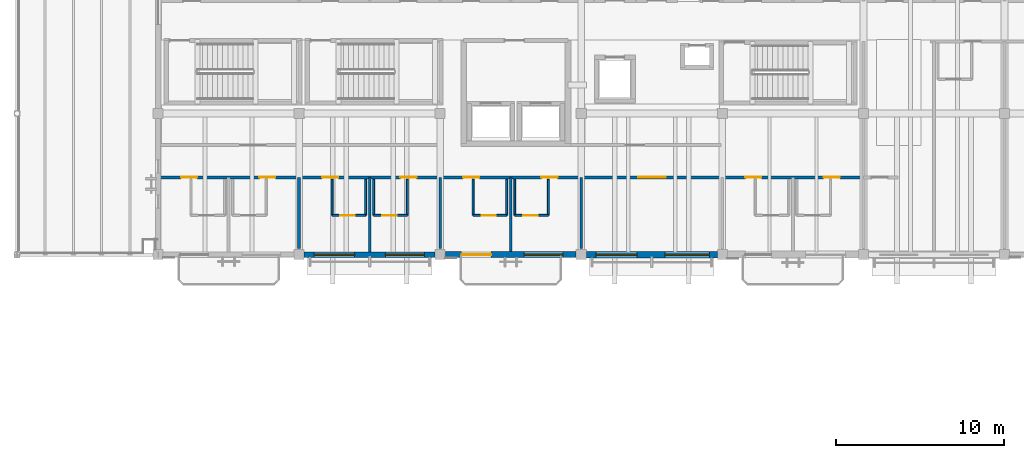
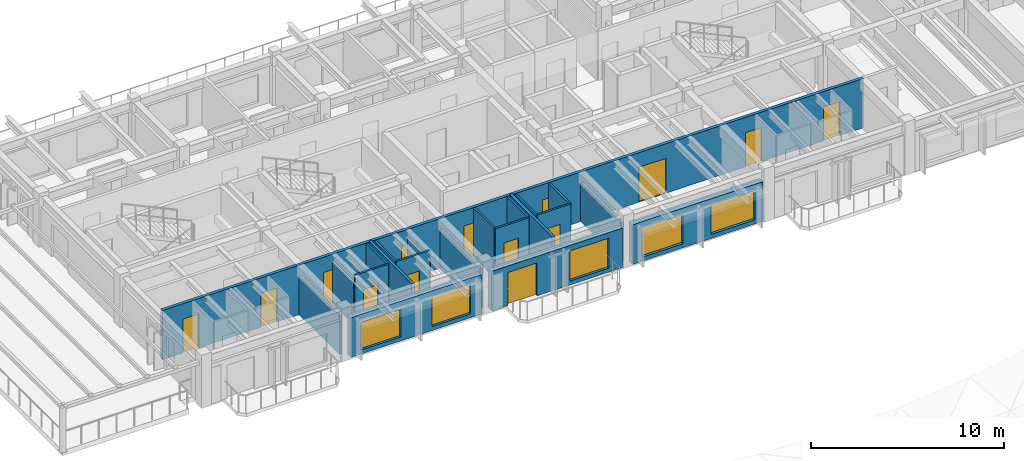
# One storey, part 10 of 22: 21 walls, 14 doors, 5 windows, 19 openings.
"""IFC4 building model written with IfcOpenShell, lengths in metres."""

from ifc_helpers import new_model, si_unit, direction, frame, frame_2d, origin, place, context, subcontext, project, spatial, rectangle, extrude, material, layer, layer_set, type_object, element, fill, save


model = new_model("IFC4")

# Units and contexts
model_context = context("Model", 3, precision=1e-05, world=origin(), true_north=direction((0.0, 1.0)))
body_context = subcontext(model_context, "Body", "Model", "MODEL_VIEW")
ifc_project = project(units=[si_unit("LENGTHUNIT", "METRE"), si_unit("AREAUNIT", "SQUARE_METRE"), si_unit("VOLUMEUNIT", "CUBIC_METRE"), si_unit("PLANEANGLEUNIT", "RADIAN"), si_unit("MASSUNIT", "GRAM", prefix="KILO")], contexts=[model_context])

# Site, building, storey
site_placement = place(None, origin())
site = spatial("IfcSite", under=ifc_project, at=site_placement, CompositionType="ELEMENT")
building_placement = place(site_placement, origin())
building = spatial("IfcBuilding", under=site, at=building_placement, Name="Cumbredor Promenade Congress Hotel", CompositionType="ELEMENT")
storey_placement = place(building_placement, frame((0.0, 0.0, 28.56005859375)))
storey = spatial("IfcBuildingStorey", under=building, at=storey_placement, Name="L08", CompositionType="ELEMENT", Elevation=28.56005859375)

# Wall, opening, door
ifc_material_1 = material(Name="Moisture-resistant gypsum board on steel studs", Category="steel")
ifc_layer_1 = layer(ifc_material_1, 0.114990234375, Name="Moisture-resistant gypsum board on steel studs", Category="steel")
ifc_layer_set_1 = layer_set([ifc_layer_1], Name="Moisture-resistant gypsum board on steel studs")
wall_type_1 = type_object("IfcWallType", Name="WL-BATH-115", PredefinedType="PARTITIONING", material=ifc_layer_set_1)
wall_1_placement = place(storey_placement, frame((18.760009765625, 94.72998046875, 0.0), z_axis=(0.0, 0.0, 1.0), x_axis=(1.0, 0.0, 0.0)))
wall_1 = element("IfcWall", 1, at=wall_1_placement, inside=storey, type_object=wall_type_1, Name="L08 Interior Partition W-L08-BH-0873", PredefinedType="PARTITIONING", context=body_context, shape_type="SweptSolid", body=[
    extrude(rectangle(XDim=2.0, YDim=0.114990234375, at=frame_2d((1.0, 0.0))), origin(), (0.0, 0.0, 1.0), 3.119873046875),
])
opening_1_placement = place(wall_1_placement, frame((0.5, 0.0, 0.0)))
opening_1 = element("IfcOpeningElement", 2, at=opening_1_placement, cuts=wall_1, Name="Opening ID-01", PredefinedType="OPENING", context=body_context, shape_type="SweptSolid", body=[
    extrude(rectangle(XDim=0.860107421875, YDim=2.050048828125, at=frame_2d((0.43017578125, 1.02490234375))), frame((0.0, 0.0673828125, 0.0), z_axis=(0.0, -1.0, 0.0), x_axis=(1.0, 0.0, 0.0)), (0.0, 0.0, 1.0), 0.135009765625),
])
ifc_material_2 = material(Name="Kiln-dried tropical hardwood", Category="wood")
door_type_1 = type_object("IfcDoorType", Name="DR-BATH-860", OperationType="NOTDEFINED", PredefinedType="DOOR", material=ifc_material_2)
door_1_placement = place(opening_1_placement, origin())
door_1 = element("IfcDoor", 3, at=door_1_placement, inside=storey, type_object=door_type_1, Name="L08 Interior Door W-L08-BH-0873-01", OperationType="SINGLE_SWING_RIGHT", OverallHeight=2.050048828125, OverallWidth=0.860107421875, PredefinedType="DOOR", context=body_context, shape_type="SweptSolid", body=[
    extrude(rectangle(XDim=0.860107421875, YDim=2.050048828125, at=frame_2d((0.43017578125, 1.02490234375))), frame((0.0, 0.02490234375, 0.0), z_axis=(0.0, -1.0, 0.0), x_axis=(1.0, 0.0, 0.0)), (0.0, 0.0, 1.0), 0.050048828125),
])
fill(opening_1, door_1)

# Walls
wall_2_placement = place(storey_placement, frame((18.760009765625, 94.72998046875, 0.0), z_axis=(0.0, 0.0, 1.0), x_axis=(0.0, 1.0, 0.0)))
element("IfcWall", 4, at=wall_2_placement, inside=storey, type_object=wall_type_1, Name="L08 Interior Partition W-L08-BV1-0873", PredefinedType="PARTITIONING", context=body_context, shape_type="SweptSolid", body=[
    extrude(rectangle(XDim=2.14990234375, YDim=0.114990234375, at=frame_2d((1.074951171875, 0.0))), origin(), (0.0, 0.0, 1.0), 2.641845703125),
])
wall_3_placement = place(storey_placement, frame((20.760009765625, 94.72998046875, 0.0), z_axis=(0.0, 0.0, 1.0), x_axis=(0.0, 1.0, 0.0)))
element("IfcWall", 5, at=wall_3_placement, inside=storey, type_object=wall_type_1, Name="L08 Interior Partition W-L08-BV2-0873", PredefinedType="PARTITIONING", context=body_context, shape_type="SweptSolid", body=[
    extrude(rectangle(XDim=2.14990234375, YDim=0.114990234375, at=frame_2d((1.074951171875, 0.0))), origin(), (0.0, 0.0, 1.0), 3.119873046875),
])

# Wall, opening, door
wall_4_placement = place(storey_placement, frame((21.239990234375, 94.72998046875, 0.0), z_axis=(0.0, 0.0, 1.0), x_axis=(1.0, 0.0, 0.0)))
wall_4 = element("IfcWall", 6, at=wall_4_placement, inside=storey, type_object=wall_type_1, Name="L08 Interior Partition W-L08-BH-0874", PredefinedType="PARTITIONING", context=body_context, shape_type="SweptSolid", body=[
    extrude(rectangle(XDim=2.0, YDim=0.114990234375, at=frame_2d((1.0, 0.0))), origin(), (0.0, 0.0, 1.0), 3.119873046875),
])
opening_2_placement = place(wall_4_placement, frame((0.5, 0.0, 0.0)))
opening_2 = element("IfcOpeningElement", 7, at=opening_2_placement, cuts=wall_4, Name="Opening ID-01", PredefinedType="OPENING", context=body_context, shape_type="SweptSolid", body=[
    extrude(rectangle(XDim=0.860107421875, YDim=2.050048828125, at=frame_2d((0.43017578125, 1.02490234375))), frame((0.0, 0.0673828125, 0.0), z_axis=(0.0, -1.0, 0.0), x_axis=(1.0, 0.0, 0.0)), (0.0, 0.0, 1.0), 0.135009765625),
])
door_2_placement = place(opening_2_placement, origin())
door_2 = element("IfcDoor", 8, at=door_2_placement, inside=storey, type_object=door_type_1, Name="L08 Interior Door W-L08-BH-0874-01", OperationType="SINGLE_SWING_LEFT", OverallHeight=2.050048828125, OverallWidth=0.860107421875, PredefinedType="DOOR", context=body_context, shape_type="SweptSolid", body=[
    extrude(rectangle(XDim=0.860107421875, YDim=2.050048828125, at=frame_2d((0.43017578125, 1.02490234375))), frame((0.0, 0.02490234375, 0.0), z_axis=(0.0, -1.0, 0.0), x_axis=(1.0, 0.0, 0.0)), (0.0, 0.0, 1.0), 0.050048828125),
])
fill(opening_2, door_2)

# Walls
wall_5_placement = place(storey_placement, frame((21.239990234375, 94.72998046875, 0.0), z_axis=(0.0, 0.0, 1.0), x_axis=(0.0, 1.0, 0.0)))
element("IfcWall", 9, at=wall_5_placement, inside=storey, type_object=wall_type_1, Name="L08 Interior Partition W-L08-BV1-0874", PredefinedType="PARTITIONING", context=body_context, shape_type="SweptSolid", body=[
    extrude(rectangle(XDim=2.14990234375, YDim=0.114990234375, at=frame_2d((1.074951171875, 0.0))), origin(), (0.0, 0.0, 1.0), 3.119873046875),
])
wall_6_placement = place(storey_placement, frame((23.239990234375, 94.72998046875, 0.0), z_axis=(0.0, 0.0, 1.0), x_axis=(0.0, 1.0, 0.0)))
element("IfcWall", 10, at=wall_6_placement, inside=storey, type_object=wall_type_1, Name="L08 Interior Partition W-L08-BV2-0874", PredefinedType="PARTITIONING", context=body_context, shape_type="SweptSolid", body=[
    extrude(rectangle(XDim=2.14990234375, YDim=0.114990234375, at=frame_2d((1.074951171875, 0.0))), origin(), (0.0, 0.0, 1.0), 2.641845703125),
])

# Wall, opening, door
wall_7_placement = place(storey_placement, frame((27.159912109375, 94.72998046875, 0.0), z_axis=(0.0, 0.0, 1.0), x_axis=(1.0, 0.0, 0.0)))
wall_7 = element("IfcWall", 11, at=wall_7_placement, inside=storey, type_object=wall_type_1, Name="L08 Interior Partition W-L08-BH-0875", PredefinedType="PARTITIONING", context=body_context, shape_type="SweptSolid", body=[
    extrude(rectangle(XDim=2.0, YDim=0.114990234375, at=frame_2d((1.0, 0.0))), origin(), (0.0, 0.0, 1.0), 3.119873046875),
])
opening_3_placement = place(wall_7_placement, frame((0.5, 0.0, 0.0)))
opening_3 = element("IfcOpeningElement", 12, at=opening_3_placement, cuts=wall_7, Name="Opening ID-01", PredefinedType="OPENING", context=body_context, shape_type="SweptSolid", body=[
    extrude(rectangle(XDim=0.860107421875, YDim=2.050048828125, at=frame_2d((0.43017578125, 1.02490234375))), frame((0.0, 0.0673828125, 0.0), z_axis=(0.0, -1.0, 0.0), x_axis=(1.0, 0.0, 0.0)), (0.0, 0.0, 1.0), 0.135009765625),
])
door_3_placement = place(opening_3_placement, origin())
door_3 = element("IfcDoor", 13, at=door_3_placement, inside=storey, type_object=door_type_1, Name="L08 Interior Door W-L08-BH-0875-01", OperationType="SINGLE_SWING_RIGHT", OverallHeight=2.050048828125, OverallWidth=0.860107421875, PredefinedType="DOOR", context=body_context, shape_type="SweptSolid", body=[
    extrude(rectangle(XDim=0.860107421875, YDim=2.050048828125, at=frame_2d((0.43017578125, 1.02490234375))), frame((0.0, 0.02490234375, 0.0), z_axis=(0.0, -1.0, 0.0), x_axis=(1.0, 0.0, 0.0)), (0.0, 0.0, 1.0), 0.050048828125),
])
fill(opening_3, door_3)

# Walls
for number, where, z_axis, x_axis, name in (
    (14, (27.159912109375, 94.72998046875, 0.0), (0.0, 0.0, 1.0), (0.0, 1.0, 0.0), "L08 Interior Partition W-L08-BV1-0875"),
    (15, (29.159912109375, 94.72998046875, 0.0), (0.0, 0.0, 1.0), (0.0, 1.0, 0.0), "L08 Interior Partition W-L08-BV2-0875"),
):
    element("IfcWall", number, at=place(storey_placement, frame(where, z_axis=z_axis, x_axis=x_axis)), inside=storey, type_object=wall_type_1, Name=name, PredefinedType="PARTITIONING", context=body_context, shape_type="SweptSolid", body=[
        extrude(rectangle(XDim=2.14990234375, YDim=0.114990234375, at=frame_2d((1.074951171875, 0.0))), origin(), (0.0, 0.0, 1.0), 3.119873046875),
    ])

# Wall, opening, door
wall_8_placement = place(storey_placement, frame((29.639892578125, 94.72998046875, 0.0), z_axis=(0.0, 0.0, 1.0), x_axis=(1.0, 0.0, 0.0)))
wall_8 = element("IfcWall", 16, at=wall_8_placement, inside=storey, type_object=wall_type_1, Name="L08 Interior Partition W-L08-BH-0876", PredefinedType="PARTITIONING", context=body_context, shape_type="SweptSolid", body=[
    extrude(rectangle(XDim=2.0, YDim=0.114990234375, at=frame_2d((1.0, 0.0))), origin(), (0.0, 0.0, 1.0), 3.119873046875),
])
opening_4_placement = place(wall_8_placement, frame((0.5, 0.0, 0.0)))
opening_4 = element("IfcOpeningElement", 17, at=opening_4_placement, cuts=wall_8, Name="Opening ID-01", PredefinedType="OPENING", context=body_context, shape_type="SweptSolid", body=[
    extrude(rectangle(XDim=0.860107421875, YDim=2.050048828125, at=frame_2d((0.43017578125, 1.02490234375))), frame((0.0, 0.0673828125, 0.0), z_axis=(0.0, -1.0, 0.0), x_axis=(1.0, 0.0, 0.0)), (0.0, 0.0, 1.0), 0.135009765625),
])
door_4_placement = place(opening_4_placement, origin())
door_4 = element("IfcDoor", 18, at=door_4_placement, inside=storey, type_object=door_type_1, Name="L08 Interior Door W-L08-BH-0876-01", OperationType="SINGLE_SWING_LEFT", OverallHeight=2.050048828125, OverallWidth=0.860107421875, PredefinedType="DOOR", context=body_context, shape_type="SweptSolid", body=[
    extrude(rectangle(XDim=0.860107421875, YDim=2.050048828125, at=frame_2d((0.43017578125, 1.02490234375))), frame((0.0, 0.02490234375, 0.0), z_axis=(0.0, -1.0, 0.0), x_axis=(1.0, 0.0, 0.0)), (0.0, 0.0, 1.0), 0.050048828125),
])
fill(opening_4, door_4)

# Walls
for number, where, z_axis, x_axis, name in (
    (19, (29.639892578125, 94.72998046875, 0.0), (0.0, 0.0, 1.0), (0.0, 1.0, 0.0), "L08 Interior Partition W-L08-BV1-0876"),
    (20, (31.639892578125, 94.72998046875, 0.0), (0.0, 0.0, 1.0), (0.0, 1.0, 0.0), "L08 Interior Partition W-L08-BV2-0876"),
):
    element("IfcWall", number, at=place(storey_placement, frame(where, z_axis=z_axis, x_axis=x_axis)), inside=storey, type_object=wall_type_1, Name=name, PredefinedType="PARTITIONING", context=body_context, shape_type="SweptSolid", body=[
        extrude(rectangle(XDim=2.14990234375, YDim=0.114990234375, at=frame_2d((1.074951171875, 0.0))), origin(), (0.0, 0.0, 1.0), 3.119873046875),
    ])

# Wall, openings, doors
ifc_material_3 = material(Name="Fire-rated hotel corridor wall")
ifc_layer_2 = layer(ifc_material_3, 0.179931640625, Name="Fire-rated hotel corridor wall")
ifc_layer_set_2 = layer_set([ifc_layer_2], Name="Fire-rated hotel corridor wall")
wall_type_2 = type_object("IfcWallType", Name="WL-CORR-180", PredefinedType="PARTITIONING", material=ifc_layer_set_2)
wall_9_placement = place(storey_placement, frame((8.550048828125, 97.0, 0.0), z_axis=(0.0, 0.0, 1.0), x_axis=(1.0, 0.0, 0.0)))
wall_9 = element("IfcWall", 21, at=wall_9_placement, inside=storey, type_object=wall_type_2, Name="L08 Interior Partition W-L08-SC-CORRW", PredefinedType="PARTITIONING", context=body_context, shape_type="SweptSolid", body=[
    extrude(rectangle(XDim=41.849853515625, YDim=0.179931640625, at=frame_2d((20.9248046875, 0.0))), origin(), (0.0, 0.0, 1.0), 3.119873046875),
])
opening_5_placement = place(wall_9_placement, frame((1.219970703125, 0.0, 0.0)))
opening_5 = element("IfcOpeningElement", 22, at=opening_5_placement, cuts=wall_9, Name="Opening FD-01", PredefinedType="OPENING", context=body_context, shape_type="SweptSolid", body=[
    extrude(rectangle(XDim=0.9599609375, YDim=2.14990234375, at=frame_2d((0.47998046875, 1.074951171875))), frame((0.0, 0.10009765625, 0.0), z_axis=(0.0, -1.0, 0.0), x_axis=(1.0, 0.0, 0.0)), (0.0, 0.0, 1.0), 0.199951171875),
])
opening_6_placement = place(wall_9_placement, frame((5.8798828125, 0.0, 0.0)))
opening_6 = element("IfcOpeningElement", 23, at=opening_6_placement, cuts=wall_9, Name="Opening FD-01", PredefinedType="OPENING", context=body_context, shape_type="SweptSolid", body=[
    extrude(rectangle(XDim=0.9599609375, YDim=2.14990234375, at=frame_2d((0.47998046875, 1.074951171875))), frame((0.0, 0.10009765625, 0.0), z_axis=(0.0, -1.0, 0.0), x_axis=(1.0, 0.0, 0.0)), (0.0, 0.0, 1.0), 0.199951171875),
])
opening_7_placement = place(wall_9_placement, frame((9.6201171875, 0.0, 0.0)))
opening_7 = element("IfcOpeningElement", 24, at=opening_7_placement, cuts=wall_9, Name="Opening FD-01", PredefinedType="OPENING", context=body_context, shape_type="SweptSolid", body=[
    extrude(rectangle(XDim=0.9599609375, YDim=2.14990234375, at=frame_2d((0.47998046875, 1.074951171875))), frame((0.0, 0.10009765625, 0.0), z_axis=(0.0, -1.0, 0.0), x_axis=(1.0, 0.0, 0.0)), (0.0, 0.0, 1.0), 0.199951171875),
])
opening_8_placement = place(wall_9_placement, frame((14.280029296875, 0.0, 0.0)))
opening_8 = element("IfcOpeningElement", 25, at=opening_8_placement, cuts=wall_9, Name="Opening FD-01", PredefinedType="OPENING", context=body_context, shape_type="SweptSolid", body=[
    extrude(rectangle(XDim=0.9599609375, YDim=2.14990234375, at=frame_2d((0.47998046875, 1.074951171875))), frame((0.0, 0.10009765625, 0.0), z_axis=(0.0, -1.0, 0.0), x_axis=(1.0, 0.0, 0.0)), (0.0, 0.0, 1.0), 0.199951171875),
])
opening_9_placement = place(wall_9_placement, frame((18.02001953125, 0.0, 0.0)))
opening_9 = element("IfcOpeningElement", 26, at=opening_9_placement, cuts=wall_9, Name="Opening FD-01", PredefinedType="OPENING", context=body_context, shape_type="SweptSolid", body=[
    extrude(rectangle(XDim=0.9599609375, YDim=2.14990234375, at=frame_2d((0.47998046875, 1.074951171875))), frame((0.0, 0.10009765625, 0.0), z_axis=(0.0, -1.0, 0.0), x_axis=(1.0, 0.0, 0.0)), (0.0, 0.0, 1.0), 0.199951171875),
])
opening_10_placement = place(wall_9_placement, frame((22.679931640625, 0.0, 0.0)))
opening_10 = element("IfcOpeningElement", 27, at=opening_10_placement, cuts=wall_9, Name="Opening FD-01", PredefinedType="OPENING", context=body_context, shape_type="SweptSolid", body=[
    extrude(rectangle(XDim=0.9599609375, YDim=2.14990234375, at=frame_2d((0.47998046875, 1.074951171875))), frame((0.0, 0.10009765625, 0.0), z_axis=(0.0, -1.0, 0.0), x_axis=(1.0, 0.0, 0.0)), (0.0, 0.0, 1.0), 0.199951171875),
])
opening_11_placement = place(wall_9_placement, frame((28.449951171875, 0.0, 0.0)))
opening_11 = element("IfcOpeningElement", 28, at=opening_11_placement, cuts=wall_9, Name="Opening FD-08", PredefinedType="OPENING", context=body_context, shape_type="SweptSolid", body=[
    extrude(rectangle(XDim=1.6201171875, YDim=2.199951171875, at=frame_2d((0.81005859375, 1.10009765625))), frame((0.0, 0.10009765625, 0.0), z_axis=(0.0, -1.0, 0.0), x_axis=(1.0, 0.0, 0.0)), (0.0, 0.0, 1.0), 0.199951171875),
])
opening_12_placement = place(wall_9_placement, frame((34.820068359375, 0.0, 0.0)))
opening_12 = element("IfcOpeningElement", 29, at=opening_12_placement, cuts=wall_9, Name="Opening FD-01", PredefinedType="OPENING", context=body_context, shape_type="SweptSolid", body=[
    extrude(rectangle(XDim=0.9599609375, YDim=2.14990234375, at=frame_2d((0.47998046875, 1.074951171875))), frame((0.0, 0.10009765625, 0.0), z_axis=(0.0, -1.0, 0.0), x_axis=(1.0, 0.0, 0.0)), (0.0, 0.0, 1.0), 0.199951171875),
])
opening_13_placement = place(wall_9_placement, frame((39.47998046875, 0.0, 0.0)))
opening_13 = element("IfcOpeningElement", 30, at=opening_13_placement, cuts=wall_9, Name="Opening FD-01", PredefinedType="OPENING", context=body_context, shape_type="SweptSolid", body=[
    extrude(rectangle(XDim=0.9599609375, YDim=2.14990234375, at=frame_2d((0.47998046875, 1.074951171875))), frame((0.0, 0.10009765625, 0.0), z_axis=(0.0, -1.0, 0.0), x_axis=(1.0, 0.0, 0.0)), (0.0, 0.0, 1.0), 0.199951171875),
])
ifc_material_4 = material(Name="Solid-core fire-rated tropical hardwood", Category="wood")
door_type_2 = type_object("IfcDoorType", Name="DR-DBL-FD60-1600", OperationType="DOUBLE_DOOR_SINGLE_SWING", PredefinedType="DOOR", material=ifc_material_4)
door_5_placement = place(opening_11_placement, origin())
door_5 = element("IfcDoor", 31, at=door_5_placement, inside=storey, type_object=door_type_2, Name="L08 Interior Door W-L08-SC-CORRW-07", OperationType="DOUBLE_DOOR_SINGLE_SWING", OverallHeight=2.199951171875, OverallWidth=1.6201171875, PredefinedType="DOOR", context=body_context, shape_type="SweptSolid", body=[
    extrude(rectangle(XDim=1.6201171875, YDim=2.199951171875, at=frame_2d((0.81005859375, 1.10009765625))), frame((0.0, 0.02490234375, 0.0), z_axis=(0.0, -1.0, 0.0), x_axis=(1.0, 0.0, 0.0)), (0.0, 0.0, 1.0), 0.050048828125),
])
fill(opening_11, door_5)
door_type_3 = type_object("IfcDoorType", Name="DR-GUEST-FD30-950", OperationType="NOTDEFINED", PredefinedType="DOOR", material=ifc_material_4)
door_6_placement = place(opening_5_placement, origin())
door_6 = element("IfcDoor", 32, at=door_6_placement, inside=storey, type_object=door_type_3, Name="L08 Interior Door W-L08-SC-CORRW-01", OperationType="SINGLE_SWING_LEFT", OverallHeight=2.14990234375, OverallWidth=0.9599609375, PredefinedType="DOOR", context=body_context, shape_type="SweptSolid", body=[
    extrude(rectangle(XDim=0.9599609375, YDim=2.14990234375, at=frame_2d((0.47998046875, 1.074951171875))), frame((0.0, 0.02490234375, 0.0), z_axis=(0.0, -1.0, 0.0), x_axis=(1.0, 0.0, 0.0)), (0.0, 0.0, 1.0), 0.050048828125),
])
fill(opening_5, door_6)
door_7_placement = place(opening_6_placement, origin())
door_7 = element("IfcDoor", 33, at=door_7_placement, inside=storey, type_object=door_type_3, Name="L08 Interior Door W-L08-SC-CORRW-02", OperationType="SINGLE_SWING_RIGHT", OverallHeight=2.14990234375, OverallWidth=0.9599609375, PredefinedType="DOOR", context=body_context, shape_type="SweptSolid", body=[
    extrude(rectangle(XDim=0.9599609375, YDim=2.14990234375, at=frame_2d((0.47998046875, 1.074951171875))), frame((0.0, 0.02490234375, 0.0), z_axis=(0.0, -1.0, 0.0), x_axis=(1.0, 0.0, 0.0)), (0.0, 0.0, 1.0), 0.050048828125),
])
fill(opening_6, door_7)
door_8_placement = place(opening_7_placement, origin())
door_8 = element("IfcDoor", 34, at=door_8_placement, inside=storey, type_object=door_type_3, Name="L08 Interior Door W-L08-SC-CORRW-03", OperationType="SINGLE_SWING_LEFT", OverallHeight=2.14990234375, OverallWidth=0.9599609375, PredefinedType="DOOR", context=body_context, shape_type="SweptSolid", body=[
    extrude(rectangle(XDim=0.9599609375, YDim=2.14990234375, at=frame_2d((0.47998046875, 1.074951171875))), frame((0.0, 0.02490234375, 0.0), z_axis=(0.0, -1.0, 0.0), x_axis=(1.0, 0.0, 0.0)), (0.0, 0.0, 1.0), 0.050048828125),
])
fill(opening_7, door_8)
door_9_placement = place(opening_8_placement, origin())
door_9 = element("IfcDoor", 35, at=door_9_placement, inside=storey, type_object=door_type_3, Name="L08 Interior Door W-L08-SC-CORRW-04", OperationType="SINGLE_SWING_RIGHT", OverallHeight=2.14990234375, OverallWidth=0.9599609375, PredefinedType="DOOR", context=body_context, shape_type="SweptSolid", body=[
    extrude(rectangle(XDim=0.9599609375, YDim=2.14990234375, at=frame_2d((0.47998046875, 1.074951171875))), frame((0.0, 0.02490234375, 0.0), z_axis=(0.0, -1.0, 0.0), x_axis=(1.0, 0.0, 0.0)), (0.0, 0.0, 1.0), 0.050048828125),
])
fill(opening_8, door_9)
door_10_placement = place(opening_9_placement, origin())
door_10 = element("IfcDoor", 36, at=door_10_placement, inside=storey, type_object=door_type_3, Name="L08 Interior Door W-L08-SC-CORRW-05", OperationType="SINGLE_SWING_LEFT", OverallHeight=2.14990234375, OverallWidth=0.9599609375, PredefinedType="DOOR", context=body_context, shape_type="SweptSolid", body=[
    extrude(rectangle(XDim=0.9599609375, YDim=2.14990234375, at=frame_2d((0.47998046875, 1.074951171875))), frame((0.0, 0.02490234375, 0.0), z_axis=(0.0, -1.0, 0.0), x_axis=(1.0, 0.0, 0.0)), (0.0, 0.0, 1.0), 0.050048828125),
])
fill(opening_9, door_10)
door_11_placement = place(opening_10_placement, origin())
door_11 = element("IfcDoor", 37, at=door_11_placement, inside=storey, type_object=door_type_3, Name="L08 Interior Door W-L08-SC-CORRW-06", OperationType="SINGLE_SWING_RIGHT", OverallHeight=2.14990234375, OverallWidth=0.9599609375, PredefinedType="DOOR", context=body_context, shape_type="SweptSolid", body=[
    extrude(rectangle(XDim=0.9599609375, YDim=2.14990234375, at=frame_2d((0.47998046875, 1.074951171875))), frame((0.0, 0.02490234375, 0.0), z_axis=(0.0, -1.0, 0.0), x_axis=(1.0, 0.0, 0.0)), (0.0, 0.0, 1.0), 0.050048828125),
])
fill(opening_10, door_11)
door_12_placement = place(opening_12_placement, origin())
door_12 = element("IfcDoor", 38, at=door_12_placement, inside=storey, type_object=door_type_3, Name="L08 Interior Door W-L08-SC-CORRW-08", OperationType="SINGLE_SWING_LEFT", OverallHeight=2.14990234375, OverallWidth=0.9599609375, PredefinedType="DOOR", context=body_context, shape_type="SweptSolid", body=[
    extrude(rectangle(XDim=0.9599609375, YDim=2.14990234375, at=frame_2d((0.47998046875, 1.074951171875))), frame((0.0, 0.02490234375, 0.0), z_axis=(0.0, -1.0, 0.0), x_axis=(1.0, 0.0, 0.0)), (0.0, 0.0, 1.0), 0.050048828125),
])
fill(opening_12, door_12)
door_13_placement = place(opening_13_placement, origin())
door_13 = element("IfcDoor", 39, at=door_13_placement, inside=storey, type_object=door_type_3, Name="L08 Interior Door W-L08-SC-CORRW-09", OperationType="SINGLE_SWING_RIGHT", OverallHeight=2.14990234375, OverallWidth=0.9599609375, PredefinedType="DOOR", context=body_context, shape_type="SweptSolid", body=[
    extrude(rectangle(XDim=0.9599609375, YDim=2.14990234375, at=frame_2d((0.47998046875, 1.074951171875))), frame((0.0, 0.02490234375, 0.0), z_axis=(0.0, -1.0, 0.0), x_axis=(1.0, 0.0, 0.0)), (0.0, 0.0, 1.0), 0.050048828125),
])
fill(opening_13, door_13)

# Wall, openings, windows
ifc_material_5 = material(Name="Concrete C40/50", Category="concrete")
ifc_layer_3 = layer(ifc_material_5, 0.324951171875, Name="Concrete C40/50", Category="concrete")
ifc_layer_set_3 = layer_set([ifc_layer_3], Name="Concrete C40/50")
wall_type_3 = type_object("IfcWallType", Name="WL-EXT-325", PredefinedType="SOLIDWALL", material=ifc_layer_set_3)
wall_10_placement = place(storey_placement, frame((17.10107421875, 92.39990234375, 0.0), z_axis=(0.0, 0.0, 1.0), x_axis=(1.0, 0.0, 0.0)))
wall_10 = element("IfcWall", 40, at=wall_10_placement, inside=storey, type_object=wall_type_3, Name="L08 Stepped Congress Hotel Wing South Envelope Wall 2", PredefinedType="SOLIDWALL", context=body_context, shape_type="SweptSolid", body=[
    extrude(rectangle(XDim=7.7978515625, YDim=0.324951171875, at=frame_2d((3.89892578125, 0.0))), origin(), (0.0, 0.0, 1.0), 2.493896484375),
])
opening_14_placement = place(wall_10_placement, frame((0.59912109375, 0.0, 0.25)))
opening_14 = element("IfcOpeningElement", 41, at=opening_14_placement, cuts=wall_10, Name="Opening WN-26", PredefinedType="OPENING", context=body_context, shape_type="SweptSolid", body=[
    extrude(rectangle(XDim=2.39990234375, YDim=1.75, at=frame_2d((1.199951171875, 0.875))), frame((0.0, 0.17236328125, 0.0), z_axis=(0.0, -1.0, 0.0), x_axis=(1.0, 0.0, 0.0)), (0.0, 0.0, 1.0), 0.344970703125),
])
opening_15_placement = place(wall_10_placement, frame((4.839111328125, 0.0, 0.25)))
opening_15 = element("IfcOpeningElement", 42, at=opening_15_placement, cuts=wall_10, Name="Opening WN-36", PredefinedType="OPENING", context=body_context, shape_type="SweptSolid", body=[
    extrude(rectangle(XDim=2.320068359375, YDim=1.89990234375, at=frame_2d((1.16015625, 0.949951171875))), frame((0.0, 0.17236328125, 0.0), z_axis=(0.0, -1.0, 0.0), x_axis=(1.0, 0.0, 0.0)), (0.0, 0.0, 1.0), 0.344970703125),
])
ifc_material_6 = material(Name="Thermally broken anodized aluminium and low-E glass", Category="aluminium")
window_type_1 = type_object("IfcWindowType", Name="Hospitality Floor-to-Ceiling Window WN-26 2400x1750", PartitioningType="DOUBLE_PANEL_VERTICAL", PredefinedType="WINDOW", material=ifc_material_6)
window_1_placement = place(opening_14_placement, origin())
window_1 = element("IfcWindow", 43, at=window_1_placement, inside=storey, type_object=window_type_1, Name="L08 Wide Hospitality Window 0649", OverallHeight=1.75, OverallWidth=2.39990234375, PartitioningType="DOUBLE_PANEL_VERTICAL", PredefinedType="WINDOW", context=body_context, shape_type="SweptSolid", body=[
    extrude(rectangle(XDim=2.39990234375, YDim=1.75, at=frame_2d((1.199951171875, 0.875))), frame((0.0, 0.030029296875, 0.0), z_axis=(0.0, -1.0, 0.0), x_axis=(1.0, 0.0, 0.0)), (0.0, 0.0, 1.0), 0.06005859375),
])
fill(opening_14, window_1)
window_type_2 = type_object("IfcWindowType", Name="Hospitality Floor-to-Ceiling Window WN-36 2320x1900", PartitioningType="DOUBLE_PANEL_VERTICAL", PredefinedType="WINDOW", material=ifc_material_6)
window_2_placement = place(opening_15_placement, origin())
window_2 = element("IfcWindow", 44, at=window_2_placement, inside=storey, type_object=window_type_2, Name="L08 Wide Hospitality Window 0650", OverallHeight=1.89990234375, OverallWidth=2.320068359375, PartitioningType="DOUBLE_PANEL_VERTICAL", PredefinedType="WINDOW", context=body_context, shape_type="SweptSolid", body=[
    extrude(rectangle(XDim=2.320068359375, YDim=1.89990234375, at=frame_2d((1.16015625, 0.949951171875))), frame((0.0, 0.030029296875, 0.0), z_axis=(0.0, -1.0, 0.0), x_axis=(1.0, 0.0, 0.0)), (0.0, 0.0, 1.0), 0.06005859375),
])
fill(opening_15, window_2)

# Wall, openings, door, window
ifc_layer_4 = layer(ifc_material_5, 0.35009765625, Name="Concrete C40/50", Category="concrete")
ifc_layer_set_4 = layer_set([ifc_layer_4], Name="Concrete C40/50")
wall_type_4 = type_object("IfcWallType", Name="WL-EXT-350", PredefinedType="SOLIDWALL", material=ifc_layer_set_4)
wall_11_placement = place(storey_placement, frame((25.5009765625, 92.39990234375, 0.0), z_axis=(0.0, 0.0, 1.0), x_axis=(1.0, 0.0, 0.0)))
wall_11 = element("IfcWall", 45, at=wall_11_placement, inside=storey, type_object=wall_type_4, Name="L08 Stepped Congress Hotel Wing South Envelope Wall 3", PredefinedType="SOLIDWALL", context=body_context, shape_type="SweptSolid", body=[
    extrude(rectangle(XDim=7.798095703125, YDim=0.35009765625, at=frame_2d((3.89892578125, 0.0))), origin(), (0.0, 0.0, 1.0), 2.493896484375),
])
opening_16_placement = place(wall_11_placement, frame((0.97412109375, 0.0, 0.0)))
opening_16 = element("IfcOpeningElement", 46, at=opening_16_placement, cuts=wall_11, Name="Opening TD-03", PredefinedType="OPENING", context=body_context, shape_type="SweptSolid", body=[
    extrude(rectangle(XDim=1.75, YDim=2.080078125, at=frame_2d((0.875, 1.0400390625))), frame((0.0, 0.18505859375, 0.0), z_axis=(0.0, -1.0, 0.0), x_axis=(1.0, 0.0, 0.0)), (0.0, 0.0, 1.0), 0.3701171875),
])
opening_17_placement = place(wall_11_placement, frame((4.68896484375, 0.0, 0.25)))
opening_17 = element("IfcOpeningElement", 47, at=opening_17_placement, cuts=wall_11, Name="Opening WN-36", PredefinedType="OPENING", context=body_context, shape_type="SweptSolid", body=[
    extrude(rectangle(XDim=2.320068359375, YDim=1.89990234375, at=frame_2d((1.16015625, 0.949951171875))), frame((0.0, 0.18505859375, 0.0), z_axis=(0.0, -1.0, 0.0), x_axis=(1.0, 0.0, 0.0)), (0.0, 0.0, 1.0), 0.3701171875),
])
ifc_material_7 = material(Name="Thermally broken anodized aluminium and laminated safety glass", Category="aluminium")
door_type_4 = type_object("IfcDoorType", Name="EXT-DR-TER-1750x2080", OperationType="DOUBLE_DOOR_SINGLE_SWING", PredefinedType="DOOR", material=ifc_material_7)
door_14_placement = place(opening_16_placement, frame((1.75, 0.0, 0.0), z_axis=(0.0, 0.0, 1.0), x_axis=(-1.0, 0.0, 0.0)))
door_14 = element("IfcDoor", 48, at=door_14_placement, inside=storey, type_object=door_type_4, Name="L08 Guestroom Veranda Balcony Door 083", OperationType="DOUBLE_DOOR_SINGLE_SWING", OverallHeight=2.080078125, OverallWidth=1.75, PredefinedType="DOOR", context=body_context, shape_type="SweptSolid", body=[
    extrude(rectangle(XDim=1.75, YDim=2.080078125, at=frame_2d((0.875, 1.0400390625))), frame((0.0, 0.02490234375, 0.0), z_axis=(0.0, -1.0, 0.0), x_axis=(1.0, 0.0, 0.0)), (0.0, 0.0, 1.0), 0.050048828125),
])
fill(opening_16, door_14)
window_3_placement = place(opening_17_placement, origin())
window_3 = element("IfcWindow", 49, at=window_3_placement, inside=storey, type_object=window_type_2, Name="L08 Veranda Companion Floor-to-Ceiling Window 0651", OverallHeight=1.89990234375, OverallWidth=2.320068359375, PartitioningType="DOUBLE_PANEL_VERTICAL", PredefinedType="WINDOW", context=body_context, shape_type="SweptSolid", body=[
    extrude(rectangle(XDim=2.320068359375, YDim=1.89990234375, at=frame_2d((1.16015625, 0.949951171875))), frame((0.0, 0.030029296875, 0.0), z_axis=(0.0, -1.0, 0.0), x_axis=(1.0, 0.0, 0.0)), (0.0, 0.0, 1.0), 0.06005859375),
])
fill(opening_17, window_3)

# Wall, openings, windows
ifc_layer_5 = layer(ifc_material_5, 0.3798828125, Name="Concrete C40/50", Category="concrete")
ifc_layer_set_5 = layer_set([ifc_layer_5], Name="Concrete C40/50")
wall_type_5 = type_object("IfcWallType", Name="WL-EXT-380", PredefinedType="SOLIDWALL", material=ifc_layer_set_5)
wall_12_placement = place(storey_placement, frame((33.90087890625, 92.39990234375, 0.0), z_axis=(0.0, 0.0, 1.0), x_axis=(1.0, 0.0, 0.0)))
wall_12 = element("IfcWall", 50, at=wall_12_placement, inside=storey, type_object=wall_type_5, Name="L08 Stepped Congress Hotel Wing South Envelope Wall 4", PredefinedType="SOLIDWALL", context=body_context, shape_type="SweptSolid", body=[
    extrude(rectangle(XDim=7.798095703125, YDim=0.3798828125, at=frame_2d((3.89892578125, 0.0))), origin(), (0.0, 0.0, 1.0), 2.493896484375),
])
opening_18_placement = place(wall_12_placement, frame((0.573974609375, 0.0, 0.25)))
opening_18 = element("IfcOpeningElement", 51, at=opening_18_placement, cuts=wall_12, Name="Opening WN-03", PredefinedType="OPENING", context=body_context, shape_type="SweptSolid", body=[
    extrude(rectangle(XDim=2.449951171875, YDim=1.85009765625, at=frame_2d((1.22509765625, 0.925048828125))), frame((0.0, 0.199951171875, 0.0), z_axis=(0.0, -1.0, 0.0), x_axis=(1.0, 0.0, 0.0)), (0.0, 0.0, 1.0), 0.39990234375),
])
opening_19_placement = place(wall_12_placement, frame((4.674072265625, 0.0, 0.25)))
opening_19 = element("IfcOpeningElement", 52, at=opening_19_placement, cuts=wall_12, Name="Opening WN-05", PredefinedType="OPENING", context=body_context, shape_type="SweptSolid", body=[
    extrude(rectangle(XDim=2.64990234375, YDim=1.85009765625, at=frame_2d((1.324951171875, 0.925048828125))), frame((0.0, 0.199951171875, 0.0), z_axis=(0.0, -1.0, 0.0), x_axis=(1.0, 0.0, 0.0)), (0.0, 0.0, 1.0), 0.39990234375),
])
window_type_3 = type_object("IfcWindowType", Name="Hospitality Floor-to-Ceiling Window WN-03 2450x1850", PartitioningType="DOUBLE_PANEL_VERTICAL", PredefinedType="WINDOW", material=ifc_material_6)
window_4_placement = place(opening_18_placement, origin())
window_4 = element("IfcWindow", 53, at=window_4_placement, inside=storey, type_object=window_type_3, Name="L08 Wide Hospitality Window 0652", OverallHeight=1.85009765625, OverallWidth=2.449951171875, PartitioningType="DOUBLE_PANEL_VERTICAL", PredefinedType="WINDOW", context=body_context, shape_type="SweptSolid", body=[
    extrude(rectangle(XDim=2.449951171875, YDim=1.85009765625, at=frame_2d((1.22509765625, 0.925048828125))), frame((0.0, 0.030029296875, 0.0), z_axis=(0.0, -1.0, 0.0), x_axis=(1.0, 0.0, 0.0)), (0.0, 0.0, 1.0), 0.06005859375),
])
fill(opening_18, window_4)
window_type_4 = type_object("IfcWindowType", Name="Hospitality Floor-to-Ceiling Window WN-05 2650x1850", PartitioningType="DOUBLE_PANEL_VERTICAL", PredefinedType="WINDOW", material=ifc_material_6)
window_5_placement = place(opening_19_placement, origin())
window_5 = element("IfcWindow", 54, at=window_5_placement, inside=storey, type_object=window_type_4, Name="L08 Wide Hospitality Window 0653", OverallHeight=1.85009765625, OverallWidth=2.64990234375, PartitioningType="DOUBLE_PANEL_VERTICAL", PredefinedType="WINDOW", context=body_context, shape_type="SweptSolid", body=[
    extrude(rectangle(XDim=2.64990234375, YDim=1.85009765625, at=frame_2d((1.324951171875, 0.925048828125))), frame((0.0, 0.030029296875, 0.0), z_axis=(0.0, -1.0, 0.0), x_axis=(1.0, 0.0, 0.0)), (0.0, 0.0, 1.0), 0.06005859375),
])
fill(opening_19, window_5)

# Walls
ifc_material_8 = material(Name="Fire-rated acoustic double-stud partition")
ifc_layer_6 = layer(ifc_material_8, 0.1650390625, Name="Fire-rated acoustic double-stud partition")
ifc_layer_set_6 = layer_set([ifc_layer_6], Name="Fire-rated acoustic double-stud partition")
wall_type_6 = type_object("IfcWallType", Name="WL-UNIT-165", PredefinedType="PARTITIONING", material=ifc_layer_set_6)
wall_13_placement = place(storey_placement, frame((21.0, 92.5625, 0.0), z_axis=(0.0, 0.0, 1.0), x_axis=(0.0, 1.0, 0.0)))
element("IfcWall", 55, at=wall_13_placement, inside=storey, type_object=wall_type_6, Name="L08 Interior Partition W-L08-SC-DIV-1-M", PredefinedType="PARTITIONING", context=body_context, shape_type="SweptSolid", body=[
    extrude(rectangle(XDim=4.4375, YDim=0.1650390625, at=frame_2d((2.21875, 0.0))), origin(), (0.0, 0.0, 1.0), 3.119873046875),
])
wall_14_placement = place(storey_placement, frame((16.800048828125, 92.75, 0.0), z_axis=(0.0, 0.0, 1.0), x_axis=(0.0, 1.0, 0.0)))
element("IfcWall", 56, at=wall_14_placement, inside=storey, type_object=wall_type_6, Name="L08 Interior Partition W-L08-SC-DIV-1-G", PredefinedType="PARTITIONING", context=body_context, shape_type="SweptSolid", body=[
    extrude(rectangle(XDim=4.25, YDim=0.1650390625, at=frame_2d((2.125, 0.0))), origin(), (0.0, 0.0, 1.0), 2.454833984375),
])
wall_15_placement = place(storey_placement, frame((29.39990234375, 92.574951171875, 0.0), z_axis=(0.0, 0.0, 1.0), x_axis=(0.0, 1.0, 0.0)))
element("IfcWall", 57, at=wall_15_placement, inside=storey, type_object=wall_type_6, Name="L08 Interior Partition W-L08-SC-DIV-2-M", PredefinedType="PARTITIONING", context=body_context, shape_type="SweptSolid", body=[
    extrude(rectangle(XDim=4.425048828125, YDim=0.1650390625, at=frame_2d((2.21240234375, 0.0))), origin(), (0.0, 0.0, 1.0), 3.119873046875),
])
for number, where, z_axis, x_axis, name in (
    (58, (25.199951171875, 92.75, 0.0), (0.0, 0.0, 1.0), (0.0, 1.0, 0.0), "L08 Interior Partition W-L08-SC-DIV-2-G"),
    (59, (33.60009765625, 92.75, 0.0), (0.0, 0.0, 1.0), (0.0, 1.0, 0.0), "L08 Interior Partition W-L08-SC-DIV-3-G"),
):
    element("IfcWall", number, at=place(storey_placement, frame(where, z_axis=z_axis, x_axis=x_axis)), inside=storey, type_object=wall_type_6, Name=name, PredefinedType="PARTITIONING", context=body_context, shape_type="SweptSolid", body=[
        extrude(rectangle(XDim=4.25, YDim=0.1650390625, at=frame_2d((2.125, 0.0))), origin(), (0.0, 0.0, 1.0), 2.454833984375),
    ])

save(model, "model.ifc")
